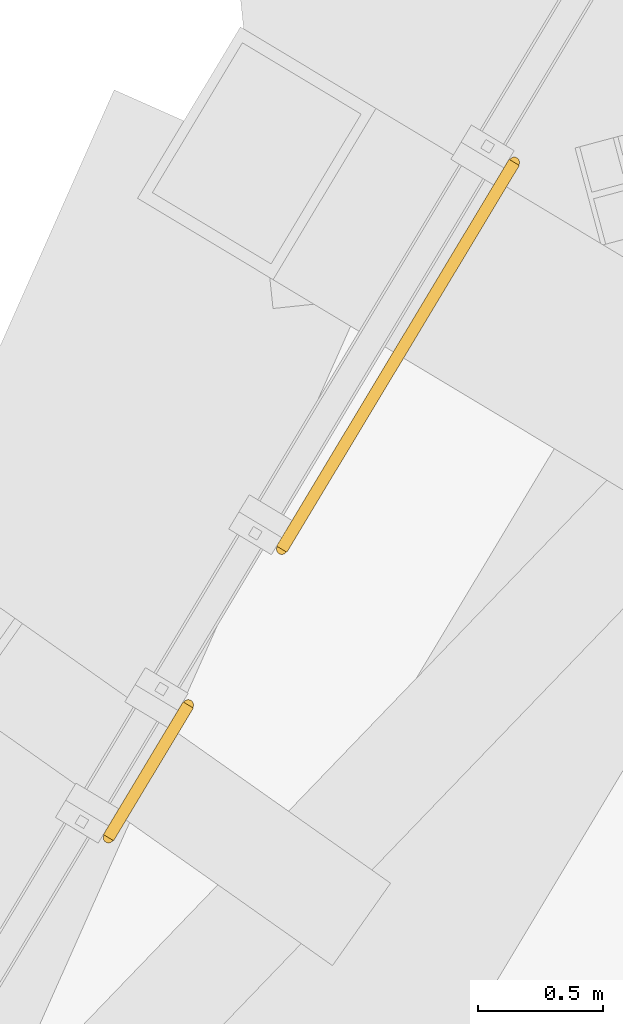
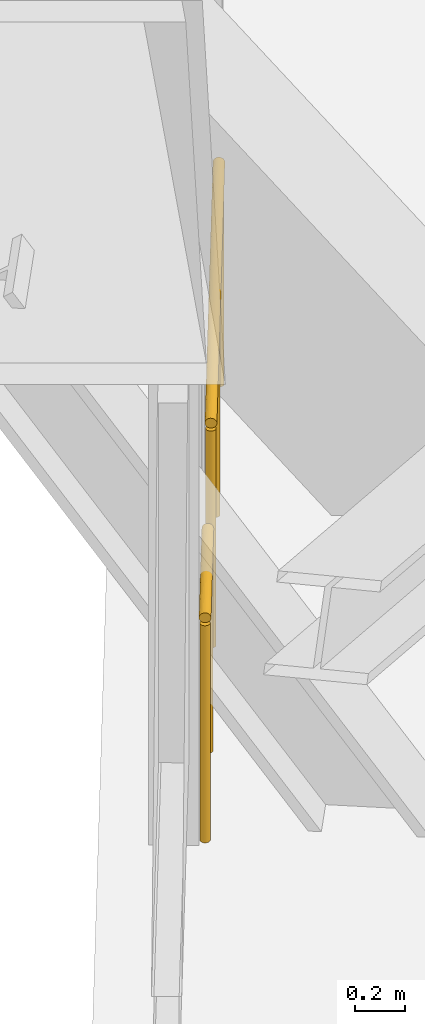
# One storey, part 27 of 28: 2 railings.
"""IFC4 building model written with IfcOpenShell, lengths in metres."""

from ifc_helpers import new_model, si_unit, direction, frame, origin, origin_2d, place, context, subcontext, project, spatial, circle, extrude, material, type_object, element, save


model = new_model("IFC4")

# Units and contexts
model_context = context("Model", 3, precision=1e-05, world=origin(), true_north=direction((0.0, 1.0)))
body_context = subcontext(model_context, "Body", "Model", "MODEL_VIEW")
ifc_project = project(units=[si_unit("LENGTHUNIT", "METRE"), si_unit("AREAUNIT", "SQUARE_METRE"), si_unit("VOLUMEUNIT", "CUBIC_METRE"), si_unit("PLANEANGLEUNIT", "RADIAN"), si_unit("MASSUNIT", "GRAM", prefix="KILO")], contexts=[model_context])

# Site, building, storey
site_placement = place(None, origin())
site = spatial("IfcSite", under=ifc_project, at=site_placement, CompositionType="ELEMENT")
building_placement = place(site_placement, origin())
building = spatial("IfcBuilding", under=site, at=building_placement, Name="Triune Harvest Tower", CompositionType="ELEMENT")
storey_placement = place(building_placement, frame((0.0, 0.0, 215.89990234375)))
storey = spatial("IfcBuildingStorey", under=building, at=storey_placement, Name="L56", CompositionType="ELEMENT", Elevation=215.89990234375)

# Railings
ifc_material = material(Name="Glass", Category="glass")
railing_type = type_object("IfcRailingType", Name="GD-3 facade guard 1100", PredefinedType="GUARDRAIL", material=ifc_material)
railing_1_placement = place(storey_placement, frame((-6.761962890625, 28.652099609375, 0.0)))
element("IfcRailing", 1, at=railing_1_placement, inside=storey, type_object=railing_type, Name="Facade guard B5-F3 L56.1.1", PredefinedType="GUARDRAIL", context=body_context, shape_type="SweptSolid", body=[
    extrude(circle(Radius=0.02392578125, at=origin_2d()), frame((0.0, 0.0, 1.076171875), z_axis=(-0.515131205821, -0.857111335119, 0.0), x_axis=(0.857111335119, -0.515131205821, 0.0)), (0.0, 0.0, 1.0), 1.8076171875),
    extrude(circle(Radius=0.02099609375, at=origin_2d()), origin(), (0.0, 0.0, 1.0), 1.052001953125),
    extrude(circle(Radius=0.02099609375, at=origin_2d()), frame((-0.465576171875, -0.774658203125, 0.0)), (0.0, 0.0, 1.0), 1.052001953125),
    extrude(circle(Radius=0.02099609375, at=origin_2d()), frame((-0.93115234375, -1.54931640625, 0.0)), (0.0, 0.0, 1.0), 1.052001953125),
])
railing_2_placement = place(storey_placement, frame((-8.067626953125, 26.47900390625, 0.0)))
element("IfcRailing", 2, at=railing_2_placement, inside=storey, type_object=railing_type, Name="Facade guard B5-F3 L56.1.2", PredefinedType="GUARDRAIL", context=body_context, shape_type="SweptSolid", body=[
    extrude(circle(Radius=0.02392578125, at=origin_2d()), frame((0.0, 0.0, 1.076171875), z_axis=(-0.515016791814, -0.857180088517, 0.0), x_axis=(0.857180088517, -0.515016791814, 0.0)), (0.0, 0.0, 1.0), 0.6201171875),
    extrude(circle(Radius=0.02099609375, at=origin_2d()), origin(), (0.0, 0.0, 1.0), 1.052001953125),
    extrude(circle(Radius=0.02099609375, at=origin_2d()), frame((-0.3193359375, -0.531494140625, 0.0)), (0.0, 0.0, 1.0), 1.052001953125),
])

save(model, "model.ifc")
